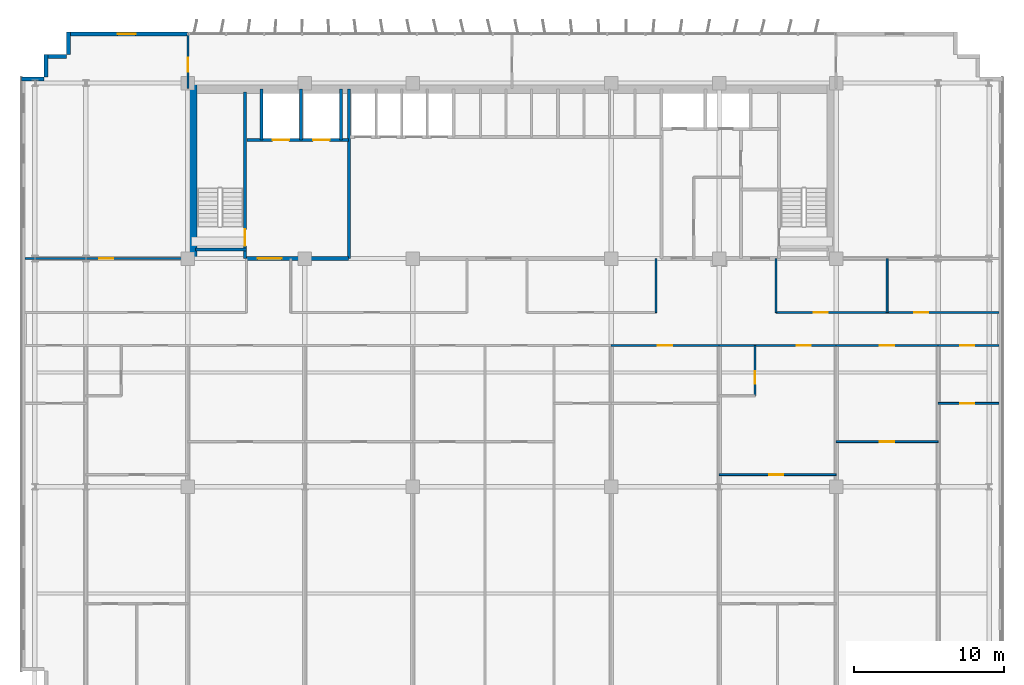
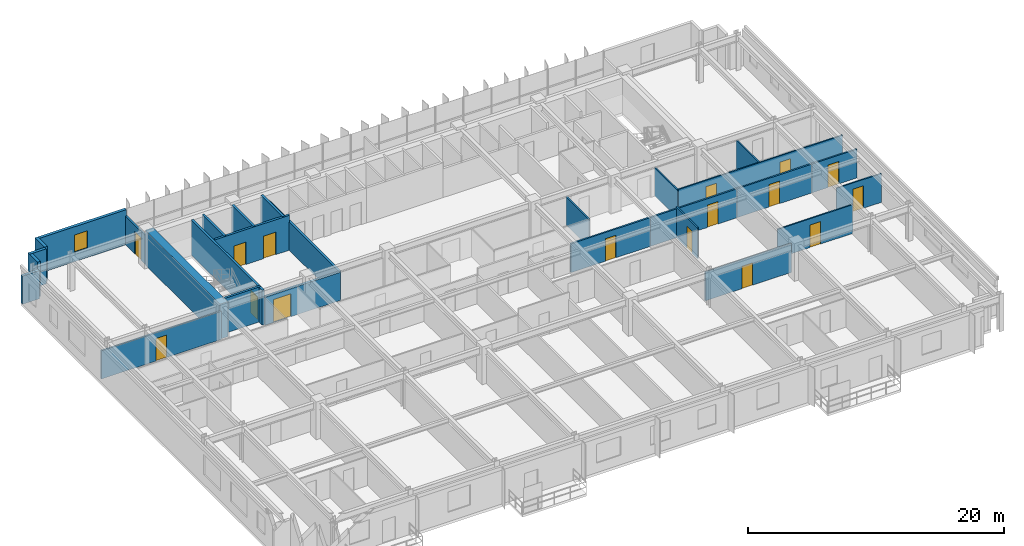
# One storey, part 17 of 22: 28 walls, 16 doors, 1 window, 17 openings.
"""IFC4 building model written with IfcOpenShell, lengths in metres."""

import ifcopenshell
import ifcopenshell.guid

model = None  # the IFC model being written
_history = None  # IfcOwnerHistory: only IFC2X3 demands one
_inside = {}  # id of a spatial element -> (the spatial element, [elements in it])
_under = {}  # id of a project, library or spatial element -> (it, [spatial elements below it])
_declared = {}  # id of a project -> (the project, [libraries it declares])
_typed = {}  # id of a type object -> (the type object, [elements of that type])
_made_of = {}  # id of a material, layer set ... -> (it, [elements and type objects made of it])


def new_model(schema):
    """Start an empty IFC model of exactly this schema.

    Asked for "IFC4X3", IfcOpenShell would pick the latest addendum, in which some entities
    have other attributes; the version numbers below select the first issue.
    IFC2X3 requires an IfcOwnerHistory on every rooted entity: one is made here for all.
    """
    global model, _history
    if schema == "IFC4X3":
        model = ifcopenshell.file(schema_version=(4, 3, 0, 0))
    else:
        model = ifcopenshell.file(schema=schema)
    _inside.clear()
    _under.clear()
    _declared.clear()
    _typed.clear()
    _made_of.clear()
    _history = None
    if model.schema == "IFC2X3":
        org = make("IfcOrganization", Name="unknown")
        user = make(
            "IfcPersonAndOrganization",
            ThePerson=make("IfcPerson", FamilyName="unknown"),
            TheOrganization=org,
        )
        app = make(
            "IfcApplication",
            ApplicationDeveloper=org,
            Version="unknown",
            ApplicationFullName="unknown",
            ApplicationIdentifier="unknown",
        )
        _history = make(
            "IfcOwnerHistory",
            OwningUser=user,
            OwningApplication=app,
            ChangeAction="ADDED",
            CreationDate=0,
        )
    return model


def make(cls, **values):
    """One entity of the class cls with the attributes given. An attribute that is None is left unset."""
    return model.create_entity(
        cls, **{name: value for name, value in values.items() if value is not None}
    )


def rooted(cls, **values):
    """An entity with a GlobalId (a new one), such as an element, a storey or a relation."""
    return make(cls, GlobalId=ifcopenshell.guid.new(), OwnerHistory=_history, **values)


def si_unit(unit_type, name, prefix=None):
    """IfcSIUnit, for example si_unit("LENGTHUNIT", "METRE", prefix="MILLI")."""
    return make("IfcSIUnit", UnitType=unit_type, Prefix=prefix, Name=name)


def assignment(units):
    """IfcUnitAssignment: the units of a project."""
    return None if units is None else make("IfcUnitAssignment", Units=units)


def point(xyz):
    """IfcCartesianPoint."""
    return None if xyz is None else make("IfcCartesianPoint", Coordinates=xyz)


def direction(xyz):
    """IfcDirection."""
    return None if xyz is None else make("IfcDirection", DirectionRatios=xyz)


def frame(location, z_axis=None, x_axis=None):
    """IfcAxis2Placement3D, a coordinate frame: its origin and axes. An axis left out is left unset."""
    return make(
        "IfcAxis2Placement3D",
        Location=point(location),
        Axis=direction(z_axis),
        RefDirection=direction(x_axis),
    )


def frame_2d(location, x_axis=None):
    """IfcAxis2Placement2D, a coordinate frame in the plane: its origin and x axis."""
    return make(
        "IfcAxis2Placement2D", Location=point(location), RefDirection=direction(x_axis)
    )


def origin():
    """The frame at (0, 0, 0) with its axes left unset."""
    return frame((0.0, 0.0, 0.0))


def place(relative_to, where):
    """IfcLocalPlacement: puts the frame where relative to a parent placement (None: the world)."""
    return make(
        "IfcLocalPlacement", PlacementRelTo=relative_to, RelativePlacement=where
    )


def context(
    kind, dimensions, precision=None, world=None, true_north=None, identifier=None
):
    """IfcGeometricRepresentationContext, for example the 3D "Model" context."""
    return make(
        "IfcGeometricRepresentationContext",
        ContextIdentifier=identifier,
        ContextType=kind,
        CoordinateSpaceDimension=dimensions,
        Precision=precision,
        WorldCoordinateSystem=world,
        TrueNorth=true_north,
    )


def subcontext(parent, identifier, kind, view, scale=None):
    """IfcGeometricRepresentationSubContext, for example "Body" below "Model"."""
    return make(
        "IfcGeometricRepresentationSubContext",
        ContextIdentifier=identifier,
        ContextType=kind,
        ParentContext=parent,
        TargetScale=scale,
        TargetView=view,
    )


def project(units=None, contexts=None):
    """IfcProject with its units and contexts."""
    return rooted(
        "IfcProject",
        Name="project",
        RepresentationContexts=contexts,
        UnitsInContext=assignment(units),
    )


def spatial(cls, under=None, at=None, **own):
    """A site, building, storey or space (cls), placed at a placement, below another one or the project."""
    s = rooted(cls, ObjectPlacement=at, **own)
    if under is not None:
        _under.setdefault(under.id(), (under, []))[1].append(s)
    return s


def profile(cls, at=None, kind="AREA", **sizes):
    """A parametric profile (cls). Its sizes go by their IFC names, for example OverallWidth=200.0."""
    return make(cls, ProfileType=kind, Position=at, **sizes)


def rectangle(**sizes):
    """IfcRectangleProfileDef."""
    return profile("IfcRectangleProfileDef", **sizes)


def extrude(swept, where, along, depth):
    """IfcExtrudedAreaSolid: the profile swept, set in the frame where, extruded along a direction by depth."""
    return make(
        "IfcExtrudedAreaSolid",
        SweptArea=swept,
        Position=where,
        ExtrudedDirection=direction(along),
        Depth=depth,
    )


def shape(context_of_items, identifier, shape_type, items):
    """IfcShapeRepresentation: the items that make up one representation, for example the "Body"."""
    return make(
        "IfcShapeRepresentation",
        ContextOfItems=context_of_items,
        RepresentationIdentifier=identifier,
        RepresentationType=shape_type,
        Items=items,
    )


def source(mapping_origin, context_of_items, identifier, shape_type, items):
    """IfcRepresentationMap: a shape defined once, which mapped items show again and again."""
    return make(
        "IfcRepresentationMap",
        MappingOrigin=mapping_origin,
        MappedRepresentation=shape(context_of_items, identifier, shape_type, items),
    )


def transform(
    local_origin,
    x_axis=None,
    y_axis=None,
    z_axis=None,
    scale=None,
    scale2=None,
    scale3=None,
    uniform=True,
):
    """IfcCartesianTransformationOperator3D, or its non-uniform kind. x_axis, y_axis, z_axis: its Axis1, 2, 3."""
    if uniform:
        return make(
            "IfcCartesianTransformationOperator3D",
            Axis1=direction(x_axis),
            Axis2=direction(y_axis),
            LocalOrigin=point(local_origin),
            Scale=scale,
            Axis3=direction(z_axis),
        )
    return make(
        "IfcCartesianTransformationOperator3DnonUniform",
        Axis1=direction(x_axis),
        Axis2=direction(y_axis),
        LocalOrigin=point(local_origin),
        Scale=scale,
        Axis3=direction(z_axis),
        Scale2=scale2,
        Scale3=scale3,
    )


def mapped(mapping_source, mapping_target):
    """IfcMappedItem: shows the shape of a source again, moved by a transform."""
    return make(
        "IfcMappedItem", MappingSource=mapping_source, MappingTarget=mapping_target
    )


def material(Name=None, Category=None):
    """IfcMaterial."""
    return make("IfcMaterial", Name=Name, Category=Category)


def layer(
    of_material, thickness, ventilated=None, Name=None, Category=None, Priority=None
):
    """IfcMaterialLayer: one layer of a wall or slab, of a material (None: an air gap)."""
    return make(
        "IfcMaterialLayer",
        Material=of_material,
        LayerThickness=thickness,
        IsVentilated=ventilated,
        Name=Name,
        Category=Category,
        Priority=Priority,
    )


def layer_set(layers, Name=None):
    """IfcMaterialLayerSet."""
    return make("IfcMaterialLayerSet", MaterialLayers=layers, LayerSetName=Name)


def made_of(thing, what):
    """Note that an element or type object is made of a material, layer set ...; save() writes the relation."""
    if what is not None:
        _made_of.setdefault(what.id(), (what, []))[1].append(thing)
    return thing


def type_object(cls, material=None, **own):
    """A type object (cls), such as IfcWallType, which elements share."""
    return made_of(rooted(cls, **own), material)


def element(
    cls,
    number,
    at=None,
    inside=None,
    cuts=None,
    type_object=None,
    material=None,
    context=None,
    identifier="Body",
    shape_type=None,
    held_by="IfcProductDefinitionShape",
    body=None,
    shapes=None,
    **own,
):
    """One element of the class cls, such as IfcWall. Its Tag is "e" and its number.

    at: its placement. inside: the storey or other place that contains it. cuts: it is an
    opening in that element (IfcRelVoidsElement). A single representation is given by context,
    identifier, shape_type and body (its items); several are given by shapes. held_by: the class
    of the entity that holds the representations. save() writes the other relations.
    """
    e = rooted(cls, Tag="e%d" % number, ObjectPlacement=at, **own)
    if body is not None:
        shapes = [shape(context, identifier, shape_type, body)]
    if shapes is not None:
        e.Representation = make(held_by, Representations=shapes)
    if inside is not None:
        _inside.setdefault(inside.id(), (inside, []))[1].append(e)
    if cuts is not None:
        rooted(
            "IfcRelVoidsElement", RelatingBuildingElement=cuts, RelatedOpeningElement=e
        )
    if type_object is not None:
        _typed.setdefault(type_object.id(), (type_object, []))[1].append(e)
    return made_of(e, material)


def fill(opening, filler):
    """IfcRelFillsElement: the door or window that sits in an opening."""
    return rooted(
        "IfcRelFillsElement",
        RelatingOpeningElement=opening,
        RelatedBuildingElement=filler,
    )


def aggregate(whole, parts):
    """IfcRelAggregates: a whole, such as a stair, and the parts it consists of."""
    return rooted("IfcRelAggregates", RelatingObject=whole, RelatedObjects=parts)


def save(model, path):
    """Write the relations noted so far, then the file.

    IfcRelAggregates (storeys below a building ...), IfcRelContainedInSpatialStructure (elements
    in a storey), IfcRelDefinesByType, IfcRelAssociatesMaterial and IfcRelDeclares: one each for
    every whole, place, type object, material and project.
    """
    for whole, parts in _under.values():
        aggregate(whole, parts)
    for where, things in _inside.values():
        rooted(
            "IfcRelContainedInSpatialStructure",
            RelatedElements=things,
            RelatingStructure=where,
        )
    for kind, things in _typed.values():
        rooted("IfcRelDefinesByType", RelatedObjects=things, RelatingType=kind)
    for what, things in _made_of.values():
        rooted("IfcRelAssociatesMaterial", RelatedObjects=things, RelatingMaterial=what)
    for by, libraries in _declared.values():
        rooted("IfcRelDeclares", RelatingContext=by, RelatedDefinitions=libraries)
    model.write(path)


model = new_model("IFC4")

# Units and contexts
model_context = context("Model", 3, precision=1e-05, world=origin(), true_north=direction((0.0, 1.0)))
body_context = subcontext(model_context, "Body", "Model", "MODEL_VIEW")
ifc_project = project(units=[si_unit("LENGTHUNIT", "METRE"), si_unit("AREAUNIT", "SQUARE_METRE"), si_unit("VOLUMEUNIT", "CUBIC_METRE"), si_unit("PLANEANGLEUNIT", "RADIAN"), si_unit("MASSUNIT", "GRAM", prefix="KILO")], contexts=[model_context])

# Site, building, storey
site_placement = place(None, origin())
site = spatial("IfcSite", under=ifc_project, at=site_placement, CompositionType="ELEMENT")
building_placement = place(site_placement, origin())
building = spatial("IfcBuilding", under=site, at=building_placement, Name="Trelvane Seafront Commons", CompositionType="ELEMENT")
storey_placement = place(building_placement, frame((0.0, 0.0, 55.89990234375)))
storey = spatial("IfcBuildingStorey", under=building, at=storey_placement, Name="L14", CompositionType="ELEMENT", Elevation=55.89990234375)

# Wall, opening, window
ifc_material_1 = material(Name="Precast concrete C40/50", Category="concrete")
ifc_layer_1 = layer(ifc_material_1, 0.260009765625, Name="ARCH-WALL-EXT260")
ifc_layer_set_1 = layer_set([ifc_layer_1], Name="Precast concrete C40/50")
wall_type_1 = type_object("IfcWallType", Name="ARCH-WALL-EXT260", PredefinedType="SOLIDWALL", material=ifc_layer_set_1)
wall_1_placement = place(storey_placement, frame((7.60009765625, 48.3701171875, 0.0), z_axis=(0.0, 0.0, 1.0), x_axis=(1.0, 0.0, 0.0)))
wall_1 = element("IfcWall", 1, at=wall_1_placement, inside=storey, type_object=wall_type_1, Name="EW-L14-NW-0234", PredefinedType="SOLIDWALL", context=body_context, shape_type="SweptSolid", body=[
    extrude(rectangle(XDim=8.0, YDim=0.260009765625, at=frame_2d((4.0, 0.0))), origin(), (0.0, 0.0, 1.0), 3.340087890625),
])
opening_1_placement = place(wall_1_placement, frame((3.30810546875, 0.0, 0.89990234375)))
opening_1 = element("IfcOpeningElement", 2, at=opening_1_placement, cuts=wall_1, Name="Opening W05", PredefinedType="OPENING", context=body_context, shape_type="SweptSolid", body=[
    extrude(rectangle(XDim=1.199951171875, YDim=1.64990234375, at=frame_2d((0.60009765625, 0.824951171875))), frame((0.0, 0.139892578125, 0.0), z_axis=(0.0, -1.0, 0.0), x_axis=(1.0, 0.0, 0.0)), (0.0, 0.0, 1.0), 0.280029296875),
])
ifc_material_2 = material(Name="Low-E coastal double glazing", Category="glass")
window_type = type_object("IfcWindowType", Name="ARCH-WIN-W05", PartitioningType="SINGLE_PANEL", PredefinedType="WINDOW", material=ifc_material_2)
shared_shape_1 = source(origin(), body_context, "Body", "SweptSolid", [
    extrude(rectangle(XDim=1.199951171875, YDim=1.64990234375, at=frame_2d((0.60009765625, 0.824951171875))), frame((0.0, 0.030029296875, 0.0), z_axis=(0.0, -1.0, 0.0), x_axis=(1.0, 0.0, 0.0)), (0.0, 0.0, 1.0), 0.06005859375),
])
window_placement = place(opening_1_placement, origin())
window = element("IfcWindow", 3, at=window_placement, inside=storey, type_object=window_type, Name="WIN-L14-00288", OverallHeight=1.64990234375, OverallWidth=1.199951171875, PartitioningType="SINGLE_PANEL", PredefinedType="WINDOW", context=body_context, shape_type="MappedRepresentation", body=[
    mapped(shared_shape_1, transform((0.0, 0.0, 0.0), x_axis=(1.0, 0.0, 0.0), y_axis=(0.0, 1.0, 0.0), z_axis=(0.0, 0.0, 1.0), scale=1.0)),
])
fill(opening_1, window)

# Walls
wall_2_placement = place(storey_placement, frame((4.5, 45.3701171875, 0.0), z_axis=(0.0, 0.0, 1.0), x_axis=(1.0, 0.0, 0.0)))
element("IfcWall", 4, at=wall_2_placement, inside=storey, type_object=wall_type_1, Name="EW-L14-00240", PredefinedType="SOLIDWALL", context=body_context, shape_type="SweptSolid", body=[
    extrude(rectangle(XDim=1.5, YDim=0.260009765625, at=frame_2d((0.75, 0.0))), origin(), (0.0, 0.0, 1.0), 2.690185546875),
])
for number, where, z_axis, x_axis, name in (
    (5, (6.1298828125, 45.5, 0.0), (0.0, 0.0, 1.0), (0.0, 1.0, 0.0), "EW-L14-00241"),
    (6, (6.0, 46.8701171875, 0.0), (0.0, 0.0, 1.0), (1.0, 0.0, 0.0), "EW-L14-00242"),
    (7, (7.6298828125, 47.0, 0.0), (0.0, 0.0, 1.0), (0.0, 1.0, 0.0), "EW-L14-00243"),
):
    element("IfcWall", number, at=place(storey_placement, frame(where, z_axis=z_axis, x_axis=x_axis)), inside=storey, type_object=wall_type_1, Name=name, PredefinedType="SOLIDWALL", context=body_context, shape_type="SweptSolid", body=[
        extrude(rectangle(XDim=1.5, YDim=0.260009765625, at=frame_2d((0.75, 0.0))), origin(), (0.0, 0.0, 1.0), 3.340087890625),
    ])

# Wall, opening, door
ifc_material_3 = material(Name="Concrete C40/50", Category="concrete")
ifc_layer_2 = layer(ifc_material_3, 0.25, Name="ARCH-WALL-FIRE250")
ifc_layer_set_2 = layer_set([ifc_layer_2], Name="Concrete C40/50")
wall_type_2 = type_object("IfcWallType", Name="ARCH-WALL-FIRE250", PredefinedType="PARTITIONING", material=ifc_layer_set_2)
wall_3_placement = place(storey_placement, frame((19.5, 33.39990234375, 0.0), z_axis=(0.0, 0.0, 1.0), x_axis=(1.0, 0.0, 0.0)))
wall_3 = element("IfcWall", 8, at=wall_3_placement, inside=storey, type_object=wall_type_2, Name="W-L14-CS-FFL-013", PredefinedType="PARTITIONING", context=body_context, shape_type="SweptSolid", body=[
    extrude(rectangle(XDim=6.800048828125, YDim=0.25, at=frame_2d((3.39990234375, 0.0))), origin(), (0.0, 0.0, 1.0), 2.690185546875),
])
opening_2_placement = place(wall_3_placement, frame((0.75, 0.0, 0.0)))
opening_2 = element("IfcOpeningElement", 9, at=opening_2_placement, cuts=wall_3, Name="Opening FD-L14-05", PredefinedType="OPENING", context=body_context, shape_type="SweptSolid", body=[
    extrude(rectangle(XDim=1.60009765625, YDim=2.199951171875, at=frame_2d((0.800048828125, 1.10009765625))), frame((0.0, 0.135009765625, 0.0), z_axis=(0.0, -1.0, 0.0), x_axis=(1.0, 0.0, 0.0)), (0.0, 0.0, 1.0), 0.27001953125),
])
ifc_material_4 = material(Name="Powder-coated aluminium frame", Category="aluminium")
door_type_1 = type_object("IfcDoorType", Name="ARCH-DR-FD60-1600", OperationType="DOUBLE_DOOR_SINGLE_SWING", PredefinedType="DOOR", material=ifc_material_4)
shared_shape_2 = source(origin(), body_context, "Body", "SweptSolid", [
    extrude(rectangle(XDim=1.60009765625, YDim=2.199951171875, at=frame_2d((0.800048828125, 1.10009765625))), frame((0.0, 0.02490234375, 0.0), z_axis=(0.0, -1.0, 0.0), x_axis=(1.0, 0.0, 0.0)), (0.0, 0.0, 1.0), 0.050048828125),
])
door_1_placement = place(opening_2_placement, origin())
door_1 = element("IfcDoor", 10, at=door_1_placement, inside=storey, type_object=door_type_1, Name="L14 Firefighting Lift Lobby Double Fire Door", OperationType="DOUBLE_DOOR_SINGLE_SWING", OverallHeight=2.199951171875, OverallWidth=1.60009765625, PredefinedType="DOOR", context=body_context, shape_type="MappedRepresentation", body=[
    mapped(shared_shape_2, transform((0.0, 0.0, 0.0), x_axis=(1.0, 0.0, 0.0), y_axis=(0.0, 1.0, 0.0), z_axis=(0.0, 0.0, 1.0), scale=1.0)),
])
fill(opening_2, door_1)

# Wall, openings, doors
ifc_material_5 = material(Name="Gypsum Drywall Acoustic Partition")
ifc_layer_3 = layer(ifc_material_5, 0.1201171875, Name="ARCH-WALL-PART120")
ifc_layer_set_3 = layer_set([ifc_layer_3], Name="Gypsum Drywall Acoustic Partition")
wall_type_3 = type_object("IfcWallType", Name="ARCH-WALL-PART120", PredefinedType="PARTITIONING", material=ifc_layer_set_3)
wall_4_placement = place(storey_placement, frame((54.800048828125, 29.800048828125, 0.0), z_axis=(0.0, 0.0, 1.0), x_axis=(1.0, 0.0, 0.0)))
wall_4 = element("IfcWall", 11, at=wall_4_placement, inside=storey, type_object=wall_type_3, Name="W-L14-CORR-N-E-041", PredefinedType="PARTITIONING", context=body_context, shape_type="SweptSolid", body=[
    extrude(rectangle(XDim=14.849853515625, YDim=0.1201171875, at=frame_2d((7.4248046875, 0.0))), origin(), (0.0, 0.0, 1.0), 2.752197265625),
])
opening_3_placement = place(wall_4_placement, frame((2.5, 0.0, 0.0)))
opening_3 = element("IfcOpeningElement", 12, at=opening_3_placement, cuts=wall_4, Name="Opening D-L14-20", PredefinedType="OPENING", context=body_context, shape_type="SweptSolid", body=[
    extrude(rectangle(XDim=0.949951171875, YDim=2.14990234375, at=frame_2d((0.47509765625, 1.074951171875))), frame((0.0, 0.070068359375, 0.0), z_axis=(0.0, -1.0, 0.0), x_axis=(1.0, 0.0, 0.0)), (0.0, 0.0, 1.0), 0.14013671875),
])
opening_4_placement = place(wall_4_placement, frame((9.199951171875, 0.0, 0.0)))
opening_4 = element("IfcOpeningElement", 13, at=opening_4_placement, cuts=wall_4, Name="Opening D-L14-21", PredefinedType="OPENING", context=body_context, shape_type="SweptSolid", body=[
    extrude(rectangle(XDim=0.949951171875, YDim=2.14990234375, at=frame_2d((0.47509765625, 1.074951171875))), frame((0.0, 0.070068359375, 0.0), z_axis=(0.0, -1.0, 0.0), x_axis=(1.0, 0.0, 0.0)), (0.0, 0.0, 1.0), 0.14013671875),
])
ifc_material_6 = material(Name="Acoustic timber door leaf", Category="wood")
door_type_2 = type_object("IfcDoorType", Name="ARCH-DR-INT950", OperationType="NOTDEFINED", PredefinedType="DOOR", material=ifc_material_6)
shared_shape_3 = source(origin(), body_context, "Body", "SweptSolid", [
    extrude(rectangle(XDim=0.949951171875, YDim=2.14990234375, at=frame_2d((0.47509765625, 1.074951171875))), frame((0.0, 0.02490234375, 0.0), z_axis=(0.0, -1.0, 0.0), x_axis=(1.0, 0.0, 0.0)), (0.0, 0.0, 1.0), 0.050048828125),
])
door_2_placement = place(opening_3_placement, origin())
door_2 = element("IfcDoor", 14, at=door_2_placement, inside=storey, type_object=door_type_2, Name="L14 Door 20", OperationType="SINGLE_SWING_RIGHT", OverallHeight=2.14990234375, OverallWidth=0.949951171875, PredefinedType="DOOR", context=body_context, shape_type="MappedRepresentation", body=[
    mapped(shared_shape_3, transform((0.0, 0.0, 0.0), x_axis=(1.0, 0.0, 0.0), y_axis=(0.0, 1.0, 0.0), z_axis=(0.0, 0.0, 1.0), scale=1.0)),
])
fill(opening_3, door_2)
door_3_placement = place(opening_4_placement, origin())
door_3 = element("IfcDoor", 15, at=door_3_placement, inside=storey, type_object=door_type_2, Name="L14 Door 21", OperationType="SINGLE_SWING_LEFT", OverallHeight=2.14990234375, OverallWidth=0.949951171875, PredefinedType="DOOR", context=body_context, shape_type="MappedRepresentation", body=[
    mapped(shared_shape_3, transform((0.0, 0.0, 0.0), x_axis=(1.0, 0.0, 0.0), y_axis=(0.0, 1.0, 0.0), z_axis=(0.0, 0.0, 1.0), scale=1.0)),
])
fill(opening_4, door_3)

# Walls
for number, where, z_axis, x_axis, name in (
    (16, (62.199951171875, 29.800048828125, 0.0), (0.0, 0.0, 1.0), (0.0, 1.0, 0.0), "W-L14-N-LAUN-DV-042"),
    (17, (46.800048828125, 29.800048828125, 0.0), (0.0, 0.0, 1.0), (0.0, 1.0, 0.0), "W-L14-N-SPUR-E1-047"),
    (18, (54.800048828125, 29.800048828125, 0.0), (0.0, 0.0, 1.0), (0.0, 1.0, 0.0), "W-L14-N-SPUR-E2-048"),
):
    element("IfcWall", number, at=place(storey_placement, frame(where, z_axis=z_axis, x_axis=x_axis)), inside=storey, type_object=wall_type_3, Name=name, PredefinedType="PARTITIONING", context=body_context, shape_type="SweptSolid", body=[
        extrude(rectangle(XDim=3.599853515625, YDim=0.1201171875, at=frame_2d((1.7998046875, 0.0))), origin(), (0.0, 0.0, 1.0), 2.690185546875),
    ])

# Wall, opening, door
wall_5_placement = place(storey_placement, frame((51.0, 19.0, 0.0), z_axis=(0.0, 0.0, 1.0), x_axis=(1.0, 0.0, 0.0)))
wall_5 = element("IfcWall", 19, at=wall_5_placement, inside=storey, type_object=wall_type_3, Name="W-L14-U9-KL-085", PredefinedType="PARTITIONING", context=body_context, shape_type="SweptSolid", body=[
    extrude(rectangle(XDim=7.800048828125, YDim=0.1201171875, at=frame_2d((3.89990234375, 0.0))), origin(), (0.0, 0.0, 1.0), 2.752197265625),
])
opening_5_placement = place(wall_5_placement, frame((3.3330078125, 0.0, 0.0)))
opening_5 = element("IfcOpeningElement", 20, at=opening_5_placement, cuts=wall_5, Name="Opening D-L14-46", PredefinedType="OPENING", context=body_context, shape_type="SweptSolid", body=[
    extrude(rectangle(XDim=0.949951171875, YDim=2.14990234375, at=frame_2d((0.47509765625, 1.074951171875))), frame((0.0, 0.070068359375, 0.0), z_axis=(0.0, -1.0, 0.0), x_axis=(1.0, 0.0, 0.0)), (0.0, 0.0, 1.0), 0.14013671875),
])
door_4_placement = place(opening_5_placement, origin())
door_4 = element("IfcDoor", 21, at=door_4_placement, inside=storey, type_object=door_type_2, Name="L14 Door 46", OperationType="SINGLE_SWING_RIGHT", OverallHeight=2.14990234375, OverallWidth=0.949951171875, PredefinedType="DOOR", context=body_context, shape_type="MappedRepresentation", body=[
    mapped(shared_shape_3, transform((0.0, 0.0, 0.0), x_axis=(1.0, 0.0, 0.0), y_axis=(0.0, 1.0, 0.0), z_axis=(0.0, 0.0, 1.0), scale=1.0)),
])
fill(opening_5, door_4)

wall_6_placement = place(storey_placement, frame((53.39990234375, 24.25, 0.0), z_axis=(0.0, 0.0, 1.0), x_axis=(0.0, 1.0, 0.0)))
wall_6 = element("IfcWall", 22, at=wall_6_placement, inside=storey, type_object=wall_type_3, Name="W-L14-U9-BE-086", PredefinedType="PARTITIONING", context=body_context, shape_type="SweptSolid", body=[
    extrude(rectangle(XDim=3.35009765625, YDim=0.1201171875, at=frame_2d((1.675048828125, 0.0))), origin(), (0.0, 0.0, 1.0), 2.940185546875),
])
opening_6_placement = place(wall_6_placement, frame((0.800048828125, 0.0, 0.0)))
opening_6 = element("IfcOpeningElement", 23, at=opening_6_placement, cuts=wall_6, Name="Opening D-L14-47", PredefinedType="OPENING", context=body_context, shape_type="SweptSolid", body=[
    extrude(rectangle(XDim=0.85009765625, YDim=2.10009765625, at=frame_2d((0.425048828125, 1.050048828125))), frame((0.0, 0.070068359375, 0.0), z_axis=(0.0, -1.0, 0.0), x_axis=(1.0, 0.0, 0.0)), (0.0, 0.0, 1.0), 0.14013671875),
])
door_type_3 = type_object("IfcDoorType", Name="ARCH-DR-INT850", OperationType="NOTDEFINED", PredefinedType="DOOR", material=ifc_material_6)
shared_shape_4 = source(origin(), body_context, "Body", "SweptSolid", [
    extrude(rectangle(XDim=0.85009765625, YDim=2.10009765625, at=frame_2d((0.425048828125, 1.050048828125))), frame((0.0, 0.02490234375, 0.0), z_axis=(0.0, -1.0, 0.0), x_axis=(1.0, 0.0, 0.0)), (0.0, 0.0, 1.0), 0.050048828125),
])
door_5_placement = place(opening_6_placement, origin())
door_5 = element("IfcDoor", 24, at=door_5_placement, inside=storey, type_object=door_type_3, Name="L14 Door 47", OperationType="SINGLE_SWING_LEFT", OverallHeight=2.10009765625, OverallWidth=0.85009765625, PredefinedType="DOOR", context=body_context, shape_type="MappedRepresentation", body=[
    mapped(shared_shape_4, transform((0.0, 0.0, 0.0), x_axis=(1.0, 0.0, 0.0), y_axis=(0.0, 1.0, 0.0), z_axis=(0.0, 0.0, 1.0), scale=1.0)),
])
fill(opening_6, door_5)

wall_7_placement = place(storey_placement, frame((58.800048828125, 21.199951171875, 0.0), z_axis=(0.0, 0.0, 1.0), x_axis=(1.0, 0.0, 0.0)))
wall_7 = element("IfcWall", 25, at=wall_7_placement, inside=storey, type_object=wall_type_3, Name="W-L14-U10-DIV-093", PredefinedType="PARTITIONING", context=body_context, shape_type="SweptSolid", body=[
    extrude(rectangle(XDim=6.800048828125, YDim=0.1201171875, at=frame_2d((3.39990234375, 0.0))), origin(), (0.0, 0.0, 1.0), 2.752197265625),
])
opening_7_placement = place(wall_7_placement, frame((2.925048828125, 0.0, 0.0)))
opening_7 = element("IfcOpeningElement", 26, at=opening_7_placement, cuts=wall_7, Name="Opening D-L14-52", PredefinedType="OPENING", context=body_context, shape_type="SweptSolid", body=[
    extrude(rectangle(XDim=0.949951171875, YDim=2.14990234375, at=frame_2d((0.47509765625, 1.074951171875))), frame((0.0, 0.070068359375, 0.0), z_axis=(0.0, -1.0, 0.0), x_axis=(1.0, 0.0, 0.0)), (0.0, 0.0, 1.0), 0.14013671875),
])
door_6_placement = place(opening_7_placement, origin())
door_6 = element("IfcDoor", 27, at=door_6_placement, inside=storey, type_object=door_type_2, Name="L14 Door 52", OperationType="SINGLE_SWING_RIGHT", OverallHeight=2.14990234375, OverallWidth=0.949951171875, PredefinedType="DOOR", context=body_context, shape_type="MappedRepresentation", body=[
    mapped(shared_shape_3, transform((0.0, 0.0, 0.0), x_axis=(1.0, 0.0, 0.0), y_axis=(0.0, 1.0, 0.0), z_axis=(0.0, 0.0, 1.0), scale=1.0)),
])
fill(opening_7, door_6)

wall_8_placement = place(storey_placement, frame((65.60009765625, 23.75, 0.0), z_axis=(0.0, 0.0, 1.0), x_axis=(1.0, 0.0, 0.0)))
wall_8 = element("IfcWall", 28, at=wall_8_placement, inside=storey, type_object=wall_type_3, Name="W-L14-U11-DIV-095", PredefinedType="PARTITIONING", context=body_context, shape_type="SweptSolid", body=[
    extrude(rectangle(XDim=4.054931640625, YDim=0.1201171875, at=frame_2d((2.02734375, 0.0))), origin(), (0.0, 0.0, 1.0), 2.752197265625),
])
opening_8_placement = place(wall_8_placement, frame((1.4619140625, 0.0, 0.0)))
opening_8 = element("IfcOpeningElement", 29, at=opening_8_placement, cuts=wall_8, Name="Opening D-L14-54", PredefinedType="OPENING", context=body_context, shape_type="SweptSolid", body=[
    extrude(rectangle(XDim=0.949951171875, YDim=2.14990234375, at=frame_2d((0.47509765625, 1.074951171875))), frame((0.0, 0.070068359375, 0.0), z_axis=(0.0, -1.0, 0.0), x_axis=(1.0, 0.0, 0.0)), (0.0, 0.0, 1.0), 0.14013671875),
])
door_7_placement = place(opening_8_placement, origin())
door_7 = element("IfcDoor", 30, at=door_7_placement, inside=storey, type_object=door_type_2, Name="L14 Door 54", OperationType="SINGLE_SWING_RIGHT", OverallHeight=2.14990234375, OverallWidth=0.949951171875, PredefinedType="DOOR", context=body_context, shape_type="MappedRepresentation", body=[
    mapped(shared_shape_3, transform((0.0, 0.0, 0.0), x_axis=(1.0, 0.0, 0.0), y_axis=(0.0, 1.0, 0.0), z_axis=(0.0, 0.0, 1.0), scale=1.0)),
])
fill(opening_8, door_7)

ifc_layer_4 = layer(ifc_material_5, 0.14990234375, Name="ARCH-WALL-PART150")
ifc_layer_set_4 = layer_set([ifc_layer_4], Name="Gypsum Drywall Acoustic Partition")
wall_type_4 = type_object("IfcWallType", Name="ARCH-WALL-PART150", PredefinedType="PARTITIONING", material=ifc_layer_set_4)
wall_9_placement = place(storey_placement, frame((4.75, 33.39990234375, 0.0), z_axis=(0.0, 0.0, 1.0), x_axis=(1.0, 0.0, 0.0)))
wall_9 = element("IfcWall", 31, at=wall_9_placement, inside=storey, type_object=wall_type_4, Name="W-L14-NW-ENT-049", PredefinedType="PARTITIONING", context=body_context, shape_type="SweptSolid", body=[
    extrude(rectangle(XDim=10.85009765625, YDim=0.14990234375, at=frame_2d((5.425048828125, 0.0))), origin(), (0.0, 0.0, 1.0), 2.690185546875),
])
opening_9_placement = place(wall_9_placement, frame((4.93994140625, 0.0, 0.0)))
opening_9 = element("IfcOpeningElement", 32, at=opening_9_placement, cuts=wall_9, Name="Opening FD-L14-22", PredefinedType="OPENING", context=body_context, shape_type="SweptSolid", body=[
    extrude(rectangle(XDim=0.949951171875, YDim=2.14990234375, at=frame_2d((0.47509765625, 1.074951171875))), frame((0.0, 0.0849609375, 0.0), z_axis=(0.0, -1.0, 0.0), x_axis=(1.0, 0.0, 0.0)), (0.0, 0.0, 1.0), 0.169921875),
])
door_type_4 = type_object("IfcDoorType", Name="ARCH-DR-FD60-950", OperationType="NOTDEFINED", PredefinedType="DOOR", material=ifc_material_4)
door_8_placement = place(opening_9_placement, origin())
door_8 = element("IfcDoor", 33, at=door_8_placement, inside=storey, type_object=door_type_4, Name="L14 NW Suite Entrance Door", OperationType="SINGLE_SWING_RIGHT", OverallHeight=2.14990234375, OverallWidth=0.949951171875, PredefinedType="DOOR", context=body_context, shape_type="MappedRepresentation", body=[
    mapped(shared_shape_3, transform((0.0, 0.0, 0.0), x_axis=(1.0, 0.0, 0.0), y_axis=(0.0, 1.0, 0.0), z_axis=(0.0, 0.0, 1.0), scale=1.0)),
])
fill(opening_9, door_8)

wall_10_placement = place(storey_placement, frame((15.60009765625, 44.75, 0.0), z_axis=(0.0, 0.0, 1.0), x_axis=(0.0, 1.0, 0.0)))
wall_10 = element("IfcWall", 34, at=wall_10_placement, inside=storey, type_object=wall_type_4, Name="W-L14-N-LINK-W-052", PredefinedType="PARTITIONING", context=body_context, shape_type="SweptSolid", body=[
    extrude(rectangle(XDim=3.610107421875, YDim=0.14990234375, at=frame_2d((1.80517578125, 0.0))), origin(), (0.0, 0.0, 1.0), 2.752197265625),
])
opening_10_placement = place(wall_10_placement, frame((1.10009765625, 0.0, 0.0)))
opening_10 = element("IfcOpeningElement", 35, at=opening_10_placement, cuts=wall_10, Name="Opening FD-L14-25", PredefinedType="OPENING", context=body_context, shape_type="SweptSolid", body=[
    extrude(rectangle(XDim=0.949951171875, YDim=2.14990234375, at=frame_2d((0.47509765625, 1.074951171875))), frame((0.0, 0.0849609375, 0.0), z_axis=(0.0, -1.0, 0.0), x_axis=(1.0, 0.0, 0.0)), (0.0, 0.0, 1.0), 0.169921875),
])
door_9_placement = place(opening_10_placement, origin())
door_9 = element("IfcDoor", 36, at=door_9_placement, inside=storey, type_object=door_type_4, Name="L14 Door 25", OperationType="SINGLE_SWING_LEFT", OverallHeight=2.14990234375, OverallWidth=0.949951171875, PredefinedType="DOOR", context=body_context, shape_type="MappedRepresentation", body=[
    mapped(shared_shape_3, transform((0.0, 0.0, 0.0), x_axis=(1.0, 0.0, 0.0), y_axis=(0.0, 1.0, 0.0), z_axis=(0.0, 0.0, 1.0), scale=1.0)),
])
fill(opening_10, door_9)

wall_11_placement = place(storey_placement, frame((43.800048828125, 27.60009765625, 0.0), z_axis=(0.0, 0.0, 1.0), x_axis=(1.0, 0.0, 0.0)))
wall_11 = element("IfcWall", 37, at=wall_11_placement, inside=storey, type_object=wall_type_4, Name="W-L14-CS-BAY-8-083", PredefinedType="PARTITIONING", context=body_context, shape_type="SweptSolid", body=[
    extrude(rectangle(XDim=7.199951171875, YDim=0.14990234375, at=frame_2d((3.60009765625, 0.0))), origin(), (0.0, 0.0, 1.0), 2.752197265625),
])
opening_11_placement = place(wall_11_placement, frame((3.125, 0.0, 0.0)))
opening_11 = element("IfcOpeningElement", 38, at=opening_11_placement, cuts=wall_11, Name="Opening FD-L14-44", PredefinedType="OPENING", context=body_context, shape_type="SweptSolid", body=[
    extrude(rectangle(XDim=0.949951171875, YDim=2.14990234375, at=frame_2d((0.47509765625, 1.074951171875))), frame((0.0, 0.0849609375, 0.0), z_axis=(0.0, -1.0, 0.0), x_axis=(1.0, 0.0, 0.0)), (0.0, 0.0, 1.0), 0.169921875),
])
door_10_placement = place(opening_11_placement, origin())
door_10 = element("IfcDoor", 39, at=door_10_placement, inside=storey, type_object=door_type_4, Name="L14 Bay 08 Entrance Door", OperationType="SINGLE_SWING_RIGHT", OverallHeight=2.14990234375, OverallWidth=0.949951171875, PredefinedType="DOOR", context=body_context, shape_type="MappedRepresentation", body=[
    mapped(shared_shape_3, transform((0.0, 0.0, 0.0), x_axis=(1.0, 0.0, 0.0), y_axis=(0.0, 1.0, 0.0), z_axis=(0.0, 0.0, 1.0), scale=1.0)),
])
fill(opening_11, door_10)

wall_12_placement = place(storey_placement, frame((51.0, 27.60009765625, 0.0), z_axis=(0.0, 0.0, 1.0), x_axis=(1.0, 0.0, 0.0)))
wall_12 = element("IfcWall", 40, at=wall_12_placement, inside=storey, type_object=wall_type_4, Name="W-L14-CS-BAY-9-088", PredefinedType="PARTITIONING", context=body_context, shape_type="SweptSolid", body=[
    extrude(rectangle(XDim=7.800048828125, YDim=0.14990234375, at=frame_2d((3.89990234375, 0.0))), origin(), (0.0, 0.0, 1.0), 2.752197265625),
])
opening_12_placement = place(wall_12_placement, frame((5.172119140625, 0.0, 0.0)))
opening_12 = element("IfcOpeningElement", 41, at=opening_12_placement, cuts=wall_12, Name="Opening FD-L14-48", PredefinedType="OPENING", context=body_context, shape_type="SweptSolid", body=[
    extrude(rectangle(XDim=0.949951171875, YDim=2.14990234375, at=frame_2d((0.47509765625, 1.074951171875))), frame((0.0, 0.0849609375, 0.0), z_axis=(0.0, -1.0, 0.0), x_axis=(1.0, 0.0, 0.0)), (0.0, 0.0, 1.0), 0.169921875),
])
door_11_placement = place(opening_12_placement, origin())
door_11 = element("IfcDoor", 42, at=door_11_placement, inside=storey, type_object=door_type_4, Name="L14 Unit 09 Entrance Door", OperationType="SINGLE_SWING_RIGHT", OverallHeight=2.14990234375, OverallWidth=0.949951171875, PredefinedType="DOOR", context=body_context, shape_type="MappedRepresentation", body=[
    mapped(shared_shape_3, transform((0.0, 0.0, 0.0), x_axis=(1.0, 0.0, 0.0), y_axis=(0.0, 1.0, 0.0), z_axis=(0.0, 0.0, 1.0), scale=1.0)),
])
fill(opening_12, door_11)

wall_13_placement = place(storey_placement, frame((58.800048828125, 27.60009765625, 0.0), z_axis=(0.0, 0.0, 1.0), x_axis=(1.0, 0.0, 0.0)))
wall_13 = element("IfcWall", 43, at=wall_13_placement, inside=storey, type_object=wall_type_4, Name="W-L14-CS-BAY-10-092", PredefinedType="PARTITIONING", context=body_context, shape_type="SweptSolid", body=[
    extrude(rectangle(XDim=6.800048828125, YDim=0.14990234375, at=frame_2d((3.39990234375, 0.0))), origin(), (0.0, 0.0, 1.0), 2.752197265625),
])
opening_13_placement = place(wall_13_placement, frame((2.925048828125, 0.0, 0.0)))
opening_13 = element("IfcOpeningElement", 44, at=opening_13_placement, cuts=wall_13, Name="Opening FD-L14-51", PredefinedType="OPENING", context=body_context, shape_type="SweptSolid", body=[
    extrude(rectangle(XDim=0.949951171875, YDim=2.14990234375, at=frame_2d((0.47509765625, 1.074951171875))), frame((0.0, 0.0849609375, 0.0), z_axis=(0.0, -1.0, 0.0), x_axis=(1.0, 0.0, 0.0)), (0.0, 0.0, 1.0), 0.169921875),
])
door_12_placement = place(opening_13_placement, origin())
door_12 = element("IfcDoor", 45, at=door_12_placement, inside=storey, type_object=door_type_4, Name="L14 Bay 10 Entrance Door", OperationType="SINGLE_SWING_LEFT", OverallHeight=2.14990234375, OverallWidth=0.949951171875, PredefinedType="DOOR", context=body_context, shape_type="MappedRepresentation", body=[
    mapped(shared_shape_3, transform((0.0, 0.0, 0.0), x_axis=(1.0, 0.0, 0.0), y_axis=(0.0, 1.0, 0.0), z_axis=(0.0, 0.0, 1.0), scale=1.0)),
])
fill(opening_13, door_12)

wall_14_placement = place(storey_placement, frame((65.60009765625, 27.60009765625, 0.0), z_axis=(0.0, 0.0, 1.0), x_axis=(1.0, 0.0, 0.0)))
wall_14 = element("IfcWall", 46, at=wall_14_placement, inside=storey, type_object=wall_type_4, Name="W-L14-CS-BAY-11-094", PredefinedType="PARTITIONING", context=body_context, shape_type="SweptSolid", body=[
    extrude(rectangle(XDim=4.054931640625, YDim=0.14990234375, at=frame_2d((2.02734375, 0.0))), origin(), (0.0, 0.0, 1.0), 2.752197265625),
])
opening_14_placement = place(wall_14_placement, frame((1.4619140625, 0.0, 0.0)))
opening_14 = element("IfcOpeningElement", 47, at=opening_14_placement, cuts=wall_14, Name="Opening FD-L14-53", PredefinedType="OPENING", context=body_context, shape_type="SweptSolid", body=[
    extrude(rectangle(XDim=0.949951171875, YDim=2.14990234375, at=frame_2d((0.47509765625, 1.074951171875))), frame((0.0, 0.0849609375, 0.0), z_axis=(0.0, -1.0, 0.0), x_axis=(1.0, 0.0, 0.0)), (0.0, 0.0, 1.0), 0.169921875),
])
door_13_placement = place(opening_14_placement, origin())
door_13 = element("IfcDoor", 48, at=door_13_placement, inside=storey, type_object=door_type_4, Name="L14 Bay 11 Entrance Door", OperationType="SINGLE_SWING_LEFT", OverallHeight=2.14990234375, OverallWidth=0.949951171875, PredefinedType="DOOR", context=body_context, shape_type="MappedRepresentation", body=[
    mapped(shared_shape_3, transform((0.0, 0.0, 0.0), x_axis=(1.0, 0.0, 0.0), y_axis=(0.0, 1.0, 0.0), z_axis=(0.0, 0.0, 1.0), scale=1.0)),
])
fill(opening_14, door_13)

# Wall, openings, doors
ifc_layer_5 = layer(ifc_material_3, 0.199951171875, Name="ARCH-WALL-SHAFT200")
ifc_layer_set_5 = layer_set([ifc_layer_5], Name="Concrete C40/50")
wall_type_5 = type_object("IfcWallType", Name="ARCH-WALL-SHAFT200", PredefinedType="SOLIDWALL", material=ifc_layer_set_5)
wall_15_placement = place(storey_placement, frame((19.550048828125, 41.300048828125, 0.0), z_axis=(0.0, 0.0, 1.0), x_axis=(1.0, 0.0, 0.0)))
wall_15 = element("IfcWall", 49, at=wall_15_placement, inside=storey, type_object=wall_type_5, Name="W-L14-FFL-FRONT-008", PredefinedType="SOLIDWALL", context=body_context, shape_type="SweptSolid", body=[
    extrude(rectangle(XDim=6.75, YDim=0.199951171875, at=frame_2d((3.375, 0.0))), origin(), (0.0, 0.0, 1.0), 3.340087890625),
])
opening_15_placement = place(wall_15_placement, frame((1.699951171875, 0.0, 0.0)))
opening_15 = element("IfcOpeningElement", 50, at=opening_15_placement, cuts=wall_15, Name="Opening LD-FF1-L14", PredefinedType="OPENING", context=body_context, shape_type="SweptSolid", body=[
    extrude(rectangle(XDim=1.10009765625, YDim=2.14990234375, at=frame_2d((0.550048828125, 1.074951171875))), frame((0.0, 0.10986328125, 0.0), z_axis=(0.0, -1.0, 0.0), x_axis=(1.0, 0.0, 0.0)), (0.0, 0.0, 1.0), 0.219970703125),
])
opening_16_placement = place(wall_15_placement, frame((4.39990234375, 0.0, 0.0)))
opening_16 = element("IfcOpeningElement", 51, at=opening_16_placement, cuts=wall_15, Name="Opening LD-FF2-L14", PredefinedType="OPENING", context=body_context, shape_type="SweptSolid", body=[
    extrude(rectangle(XDim=1.10009765625, YDim=2.14990234375, at=frame_2d((0.550048828125, 1.074951171875))), frame((0.0, 0.10986328125, 0.0), z_axis=(0.0, -1.0, 0.0), x_axis=(1.0, 0.0, 0.0)), (0.0, 0.0, 1.0), 0.219970703125),
])
ifc_material_7 = material(Name="Stainless steel balustrade", Category="steel")
door_type_5 = type_object("IfcDoorType", Name="ARCH-DR-LD1100", OperationType="DOUBLE_DOOR_SLIDING", PredefinedType="DOOR", material=ifc_material_7)
shared_shape_5 = source(origin(), body_context, "Body", "SweptSolid", [
    extrude(rectangle(XDim=1.10009765625, YDim=2.14990234375, at=frame_2d((0.550048828125, 1.074951171875))), frame((0.0, 0.02490234375, 0.0), z_axis=(0.0, -1.0, 0.0), x_axis=(1.0, 0.0, 0.0)), (0.0, 0.0, 1.0), 0.050048828125),
])
door_14_placement = place(opening_15_placement, origin())
door_14 = element("IfcDoor", 52, at=door_14_placement, inside=storey, type_object=door_type_5, Name="L14 Firefighting Lift FFL-1 Landing Door", OperationType="DOUBLE_DOOR_SLIDING", OverallHeight=2.14990234375, OverallWidth=1.10009765625, PredefinedType="DOOR", context=body_context, shape_type="MappedRepresentation", body=[
    mapped(shared_shape_5, transform((0.0, 0.0, 0.0), x_axis=(1.0, 0.0, 0.0), y_axis=(0.0, 1.0, 0.0), z_axis=(0.0, 0.0, 1.0), scale=1.0)),
])
fill(opening_15, door_14)
door_15_placement = place(opening_16_placement, origin())
door_15 = element("IfcDoor", 53, at=door_15_placement, inside=storey, type_object=door_type_5, Name="L14 Firefighting Lift FFL-2 Landing Door", OperationType="DOUBLE_DOOR_SLIDING", OverallHeight=2.14990234375, OverallWidth=1.10009765625, PredefinedType="DOOR", context=body_context, shape_type="MappedRepresentation", body=[
    mapped(shared_shape_5, transform((0.0, 0.0, 0.0), x_axis=(1.0, 0.0, 0.0), y_axis=(0.0, 1.0, 0.0), z_axis=(0.0, 0.0, 1.0), scale=1.0)),
])
fill(opening_16, door_15)

# Walls
for number, where, z_axis, x_axis, name in (
    (54, (20.5, 41.300048828125, 0.0), (0.0, 0.0, 1.0), (0.0, 1.0, 0.0), "W-L14-FFL-SH-W-009"),
    (55, (23.14990234375, 41.300048828125, 0.0), (0.0, 0.0, 1.0), (0.0, 1.0, 0.0), "W-L14-FFL-DIV-010"),
    (56, (25.800048828125, 41.300048828125, 0.0), (0.0, 0.0, 1.0), (0.0, 1.0, 0.0), "W-L14-FFL-SH-E-011"),
):
    element("IfcWall", number, at=place(storey_placement, frame(where, z_axis=z_axis, x_axis=x_axis)), inside=storey, type_object=wall_type_5, Name=name, PredefinedType="SOLIDWALL", context=body_context, shape_type="SweptSolid", body=[
        extrude(rectangle(XDim=3.39990234375, YDim=0.199951171875, at=frame_2d((1.699951171875, 0.0))), origin(), (0.0, 0.0, 1.0), 3.340087890625),
    ])
wall_16_placement = place(storey_placement, frame((26.35009765625, 33.39990234375, 0.0), z_axis=(0.0, 0.0, 1.0), x_axis=(0.0, 1.0, 0.0)))
element("IfcWall", 57, at=wall_16_placement, inside=storey, type_object=wall_type_5, Name="W-L14-FFL-EAST-012", PredefinedType="SOLIDWALL", context=body_context, shape_type="SweptSolid", body=[
    extrude(rectangle(XDim=11.300048828125, YDim=0.199951171875, at=frame_2d((5.64990234375, 0.0))), origin(), (0.0, 0.0, 1.0), 2.690185546875),
])
ifc_material_8 = material(Name="Concrete C60/75", Category="concrete")
ifc_layer_6 = layer(ifc_material_8, 0.699951171875, Name="STR-WALL-CORE700")
ifc_layer_set_6 = layer_set([ifc_layer_6], Name="Concrete C60/75")
wall_type_6 = type_object("IfcWallType", Name="STR-WALL-CORE700", PredefinedType="SHEAR", material=ifc_layer_set_6)
wall_17_placement = place(storey_placement, frame((15.85009765625, 33.39990234375, 0.0), z_axis=(0.0, 0.0, 1.0), x_axis=(0.0, 1.0, 0.0)))
element("IfcWall", 58, at=wall_17_placement, inside=storey, type_object=wall_type_6, Name="W-L14-CW-END-002", PredefinedType="SHEAR", context=body_context, shape_type="SweptSolid", body=[
    extrude(rectangle(XDim=11.7001953125, YDim=0.699951171875, at=frame_2d((5.85009765625, 0.0))), origin(), (0.0, 0.0, 1.0), 3.340087890625),
])
ifc_material_9 = material(Name="Concrete C50/60", Category="concrete")
ifc_layer_7 = layer(ifc_material_9, 0.199951171875, Name="STR-WALL-STAIR200")
ifc_layer_set_7 = layer_set([ifc_layer_7], Name="Concrete C50/60")
wall_type_7 = type_object("IfcWallType", Name="STR-WALL-STAIR200", PredefinedType="SHEAR", material=ifc_layer_set_7)
wall_18_placement = place(storey_placement, frame((16.10009765625, 34.0, 0.0), z_axis=(0.0, 0.0, 1.0), x_axis=(1.0, 0.0, 0.0)))
element("IfcWall", 59, at=wall_18_placement, inside=storey, type_object=wall_type_7, Name="W-L14-ST1-S-004", PredefinedType="SHEAR", context=body_context, shape_type="SweptSolid", body=[
    extrude(rectangle(XDim=3.39990234375, YDim=0.199951171875, at=frame_2d((1.699951171875, 0.0))), origin(), (0.0, 0.0, 1.0), 3.340087890625),
])

# Wall, opening, door
wall_19_placement = place(storey_placement, frame((19.39990234375, 33.39990234375, 0.0), z_axis=(0.0, 0.0, 1.0), x_axis=(0.0, 1.0, 0.0)))
wall_19 = element("IfcWall", 60, at=wall_19_placement, inside=storey, type_object=wall_type_7, Name="W-L14-ST1-E-005", PredefinedType="SHEAR", context=body_context, shape_type="SweptSolid", body=[
    extrude(rectangle(XDim=11.10009765625, YDim=0.199951171875, at=frame_2d((5.550048828125, 0.0))), origin(), (0.0, 0.0, 1.0), 3.340087890625),
])
opening_17_placement = place(wall_19_placement, frame((0.85009765625, 0.0, 0.0)))
opening_17 = element("IfcOpeningElement", 61, at=opening_17_placement, cuts=wall_19, Name="Opening ST-D1-L14", PredefinedType="OPENING", context=body_context, shape_type="SweptSolid", body=[
    extrude(rectangle(XDim=1.10009765625, YDim=2.14990234375, at=frame_2d((0.550048828125, 1.074951171875))), frame((0.0, 0.10986328125, 0.0), z_axis=(0.0, -1.0, 0.0), x_axis=(1.0, 0.0, 0.0)), (0.0, 0.0, 1.0), 0.219970703125),
])
door_type_6 = type_object("IfcDoorType", Name="ARCH-DR-FD90-1100", OperationType="NOTDEFINED", PredefinedType="DOOR", material=ifc_material_4)
door_16_placement = place(opening_17_placement, origin())
door_16 = element("IfcDoor", 62, at=door_16_placement, inside=storey, type_object=door_type_6, Name="L14 Stair ST-1 Lobby Fire Door", OperationType="SINGLE_SWING_LEFT", OverallHeight=2.14990234375, OverallWidth=1.10009765625, PredefinedType="DOOR", context=body_context, shape_type="MappedRepresentation", body=[
    mapped(shared_shape_5, transform((0.0, 0.0, 0.0), x_axis=(1.0, 0.0, 0.0), y_axis=(0.0, 1.0, 0.0), z_axis=(0.0, 0.0, 1.0), scale=1.0)),
])
fill(opening_17, door_16)

save(model, "model.ifc")
